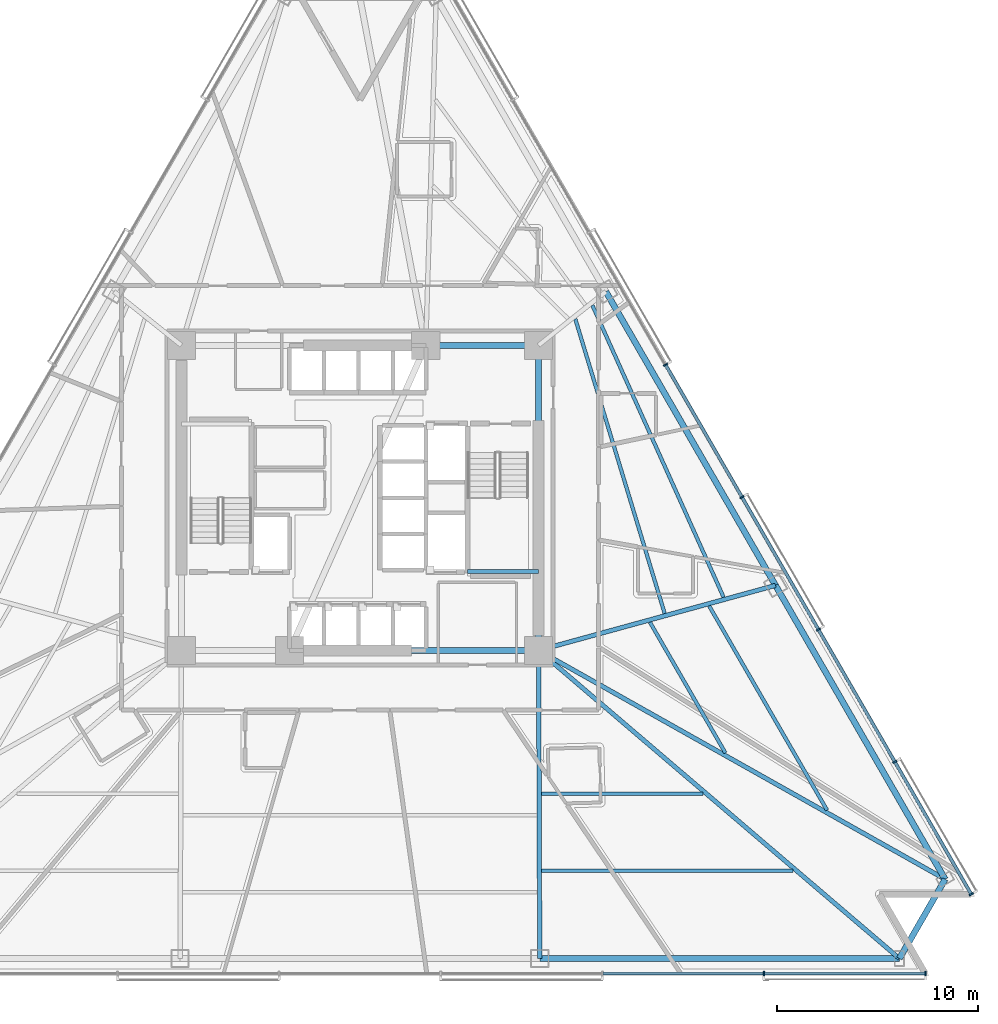
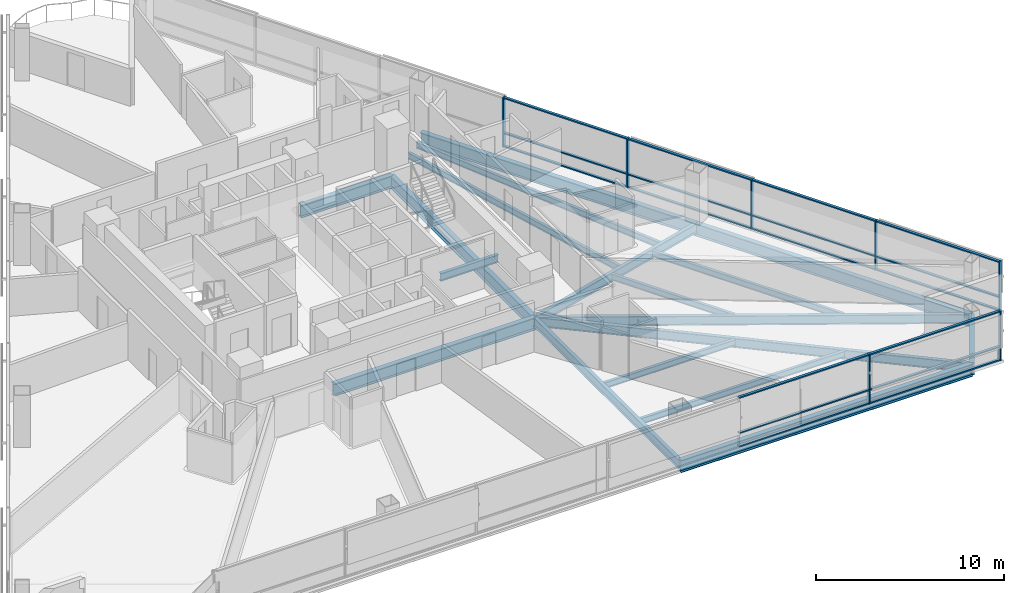
# One storey, part 4 of 17: 25 members, 18 beams, 2 elements without a shape of their own.
"""IFC4 building model written with IfcOpenShell, lengths in metres."""

from ifc_helpers import new_model, si_unit, direction, frame, origin, origin_2d, place, context, subcontext, project, spatial, rectangle, i_section, extrude, material, layer, layer_set, material_profile, profile_set, type_object, element, aggregate, save


model = new_model("IFC4")

# Units and contexts
model_context = context("Model", 3, precision=1e-05, world=origin(), true_north=direction((0.0, 1.0)))
body_context = subcontext(model_context, "Body", "Model", "MODEL_VIEW")
ifc_project = project(units=[si_unit("LENGTHUNIT", "METRE"), si_unit("AREAUNIT", "SQUARE_METRE"), si_unit("VOLUMEUNIT", "CUBIC_METRE"), si_unit("PLANEANGLEUNIT", "RADIAN"), si_unit("MASSUNIT", "GRAM", prefix="KILO")], contexts=[model_context])

# Site, building, storey
site_placement = place(None, origin())
site = spatial("IfcSite", under=ifc_project, at=site_placement, CompositionType="ELEMENT")
building_placement = place(site_placement, origin())
building = spatial("IfcBuilding", under=site, at=building_placement, Name="Tharavind Bronze Gate", CompositionType="ELEMENT")
storey_placement = place(building_placement, frame((0.0, 0.0, 35.25)))
storey = spatial("IfcBuildingStorey", under=building, at=storey_placement, Name="L07", CompositionType="ELEMENT", Elevation=35.25)

# Curtain wall, members
ifc_material_1 = material(Name="Anodised Bronze Aluminium", Category="aluminium")
ifc_layer = layer(ifc_material_1, 0.219970703125)
ifc_layer_set = layer_set([ifc_layer], Name="Anodised Bronze Aluminium")
curtain_wall_type = type_object("IfcCurtainWallType", Name="UNITISED CURTAIN WALL HOTEL", PredefinedType="USERDEFINED", material=ifc_layer_set)
curtain_wall_1_placement = place(storey_placement, origin())
curtain_wall_1 = element("IfcCurtainWall", 1, at=curtain_wall_1_placement, inside=storey, type_object=curtain_wall_type, Name="L07 unitised curtain wall hotel CW-L07-S2", ObjectType="UNITISED CURTAIN WALL", PredefinedType="USERDEFINED")
member_type_1 = type_object("IfcMemberType", Name="CURTAIN WALL MULLION 80X220", PredefinedType="MULLION", material=ifc_material_1)
member_1_placement = place(storey_placement, frame((20.12548828125, -23.699951171875, 0.0), z_axis=(0.0, 0.0, 1.0), x_axis=(1.0, 0.0, 0.0)))
member_1 = element("IfcMember", 2, at=member_1_placement, type_object=member_type_1, Name="CW-L07-S2 mullion 7", PredefinedType="MULLION", context=body_context, shape_type="SweptSolid", body=[
    extrude(rectangle(XDim=0.080078125, YDim=0.219970703125, at=origin_2d()), origin(), (0.0, 0.0, 1.0), 3.22509765625),
])
member_2_placement = place(storey_placement, frame((28.17578125, -23.699951171875, 0.0), z_axis=(0.0, 0.0, 1.0), x_axis=(1.0, 0.0, 0.0)))
member_2 = element("IfcMember", 3, at=member_2_placement, type_object=member_type_1, Name="CW-L07-S2 mullion 8", PredefinedType="MULLION", context=body_context, shape_type="SweptSolid", body=[
    extrude(rectangle(XDim=0.080078125, YDim=0.219970703125, at=origin_2d()), origin(), (0.0, 0.0, 1.0), 3.22509765625),
])

curtain_wall_2_placement = place(storey_placement, origin())
curtain_wall_2 = element("IfcCurtainWall", 4, at=curtain_wall_2_placement, inside=storey, type_object=curtain_wall_type, Name="L07 unitised curtain wall hotel CW-L07-S3", ObjectType="UNITISED CURTAIN WALL", PredefinedType="USERDEFINED")
member_3_placement = place(storey_placement, frame((30.455810546875, -19.7509765625, 0.0), z_axis=(0.0, 0.0, 1.0), x_axis=(-0.500001511499, 0.866024531118, 0.0)))
member_3 = element("IfcMember", 5, at=member_3_placement, type_object=member_type_1, Name="CW-L07-S3 mullion 1", PredefinedType="MULLION", context=body_context, shape_type="SweptSolid", body=[
    extrude(rectangle(XDim=0.080078125, YDim=0.219970703125, at=origin_2d()), origin(), (0.0, 0.0, 1.0), 3.22509765625),
])
member_4_placement = place(storey_placement, frame((26.647705078125, -13.1552734375, 0.0), z_axis=(0.0, 0.0, 1.0), x_axis=(-0.500001511499, 0.866024531118, 0.0)))
member_4 = element("IfcMember", 6, at=member_4_placement, type_object=member_type_1, Name="CW-L07-S3 mullion 2", PredefinedType="MULLION", context=body_context, shape_type="SweptSolid", body=[
    extrude(rectangle(XDim=0.080078125, YDim=0.219970703125, at=origin_2d()), origin(), (0.0, 0.0, 1.0), 3.22509765625),
])
member_5_placement = place(storey_placement, frame((22.83984375, -6.559814453125, 0.0), z_axis=(0.0, 0.0, 1.0), x_axis=(-0.500001511499, 0.866024531118, 0.0)))
member_5 = element("IfcMember", 7, at=member_5_placement, type_object=member_type_1, Name="CW-L07-S3 mullion 3", PredefinedType="MULLION", context=body_context, shape_type="SweptSolid", body=[
    extrude(rectangle(XDim=0.080078125, YDim=0.219970703125, at=origin_2d()), origin(), (0.0, 0.0, 1.0), 3.22509765625),
])
member_6_placement = place(storey_placement, frame((19.031982421875, 0.035888671875, 0.0), z_axis=(0.0, 0.0, 1.0), x_axis=(-0.500001511499, 0.866024531118, 0.0)))
member_6 = element("IfcMember", 8, at=member_6_placement, type_object=member_type_1, Name="CW-L07-S3 mullion 4", PredefinedType="MULLION", context=body_context, shape_type="SweptSolid", body=[
    extrude(rectangle(XDim=0.080078125, YDim=0.219970703125, at=origin_2d()), origin(), (0.0, 0.0, 1.0), 3.22509765625),
])
member_7_placement = place(storey_placement, frame((15.223876953125, 6.63134765625, 0.0), z_axis=(0.0, 0.0, 1.0), x_axis=(-0.500001511499, 0.866024531118, 0.0)))
member_7 = element("IfcMember", 9, at=member_7_placement, type_object=member_type_1, Name="CW-L07-S3 mullion 5", PredefinedType="MULLION", context=body_context, shape_type="SweptSolid", body=[
    extrude(rectangle(XDim=0.080078125, YDim=0.219970703125, at=origin_2d()), origin(), (0.0, 0.0, 1.0), 3.22509765625),
])

# Member
member_type_2 = type_object("IfcMemberType", Name="CURTAIN WALL TRANSOM 80X160", PredefinedType="USERDEFINED", material=ifc_material_1)
member_8_placement = place(storey_placement, frame((16.1005859375, -23.699951171875, 0.0), z_axis=(0.0, 0.0, 1.0), x_axis=(1.0, 0.0, 0.0)))
member_8 = element("IfcMember", 10, at=member_8_placement, type_object=member_type_2, Name="CW-L07-S2 transom TB6", ObjectType="TRANSOM", PredefinedType="USERDEFINED", context=body_context, shape_type="SweptSolid", body=[
    extrude(rectangle(XDim=7.982177734375, YDim=0.159912109375, at=origin_2d()), origin(), (0.0, 0.0, 1.0), 0.080078125),
])

member_9_placement = place(storey_placement, frame((16.1005859375, -23.699951171875, 0.85986328125), z_axis=(0.0, 0.0, 1.0), x_axis=(1.0, 0.0, 0.0)))
member_9 = element("IfcMember", 11, at=member_9_placement, type_object=member_type_2, Name="CW-L07-S2 transom TS6", ObjectType="TRANSOM", PredefinedType="USERDEFINED", context=body_context, shape_type="SweptSolid", body=[
    extrude(rectangle(XDim=7.982177734375, YDim=0.159912109375, at=origin_2d()), origin(), (0.0, 0.0, 1.0), 0.080078125),
])

member_10_placement = place(storey_placement, frame((16.1005859375, -23.699951171875, 3.14501953125), z_axis=(0.0, 0.0, 1.0), x_axis=(1.0, 0.0, 0.0)))
member_10 = element("IfcMember", 12, at=member_10_placement, type_object=member_type_2, Name="CW-L07-S2 transom TT6", ObjectType="TRANSOM", PredefinedType="USERDEFINED", context=body_context, shape_type="SweptSolid", body=[
    extrude(rectangle(XDim=7.982177734375, YDim=0.159912109375, at=origin_2d()), origin(), (0.0, 0.0, 1.0), 0.080078125),
])

member_11_placement = place(storey_placement, frame((24.150634765625, -23.699951171875, 0.0), z_axis=(0.0, 0.0, 1.0), x_axis=(1.0, 0.0, 0.0)))
member_11 = element("IfcMember", 13, at=member_11_placement, type_object=member_type_2, Name="CW-L07-S2 transom TB7", ObjectType="TRANSOM", PredefinedType="USERDEFINED", context=body_context, shape_type="SweptSolid", body=[
    extrude(rectangle(XDim=7.982177734375, YDim=0.159912109375, at=origin_2d()), origin(), (0.0, 0.0, 1.0), 0.080078125),
])

member_12_placement = place(storey_placement, frame((24.150634765625, -23.699951171875, 0.85986328125), z_axis=(0.0, 0.0, 1.0), x_axis=(1.0, 0.0, 0.0)))
member_12 = element("IfcMember", 14, at=member_12_placement, type_object=member_type_2, Name="CW-L07-S2 transom TS7", ObjectType="TRANSOM", PredefinedType="USERDEFINED", context=body_context, shape_type="SweptSolid", body=[
    extrude(rectangle(XDim=7.982177734375, YDim=0.159912109375, at=origin_2d()), origin(), (0.0, 0.0, 1.0), 0.080078125),
])

member_13_placement = place(storey_placement, frame((24.150634765625, -23.699951171875, 3.14501953125), z_axis=(0.0, 0.0, 1.0), x_axis=(1.0, 0.0, 0.0)))
member_13 = element("IfcMember", 15, at=member_13_placement, type_object=member_type_2, Name="CW-L07-S2 transom TT7", ObjectType="TRANSOM", PredefinedType="USERDEFINED", context=body_context, shape_type="SweptSolid", body=[
    extrude(rectangle(XDim=7.982177734375, YDim=0.159912109375, at=origin_2d()), origin(), (0.0, 0.0, 1.0), 0.080078125),
])

aggregate(curtain_wall_1, [member_1, member_2, member_8, member_9, member_10, member_11, member_12, member_13])

member_14_placement = place(storey_placement, frame((28.5517578125, -16.453125, 0.0), z_axis=(0.0, 0.0, 1.0), x_axis=(-0.500001511499, 0.866024531118, 0.0)))
member_14 = element("IfcMember", 16, at=member_14_placement, type_object=member_type_2, Name="CW-L07-S3 transom TB1", ObjectType="TRANSOM", PredefinedType="USERDEFINED", context=body_context, shape_type="SweptSolid", body=[
    extrude(rectangle(XDim=7.5478515625, YDim=0.159912109375, at=origin_2d()), origin(), (0.0, 0.0, 1.0), 0.080078125),
])

member_15_placement = place(storey_placement, frame((28.5517578125, -16.453125, 0.85986328125), z_axis=(0.0, 0.0, 1.0), x_axis=(-0.500001511499, 0.866024531118, 0.0)))
member_15 = element("IfcMember", 17, at=member_15_placement, type_object=member_type_2, Name="CW-L07-S3 transom TS1", ObjectType="TRANSOM", PredefinedType="USERDEFINED", context=body_context, shape_type="SweptSolid", body=[
    extrude(rectangle(XDim=7.5478515625, YDim=0.159912109375, at=origin_2d()), origin(), (0.0, 0.0, 1.0), 0.080078125),
])

member_16_placement = place(storey_placement, frame((28.5517578125, -16.453125, 3.14501953125), z_axis=(0.0, 0.0, 1.0), x_axis=(-0.500001511499, 0.866024531118, 0.0)))
member_16 = element("IfcMember", 18, at=member_16_placement, type_object=member_type_2, Name="CW-L07-S3 transom TT1", ObjectType="TRANSOM", PredefinedType="USERDEFINED", context=body_context, shape_type="SweptSolid", body=[
    extrude(rectangle(XDim=7.5478515625, YDim=0.159912109375, at=origin_2d()), origin(), (0.0, 0.0, 1.0), 0.080078125),
])

member_17_placement = place(storey_placement, frame((24.743896484375, -9.857421875, 0.0), z_axis=(0.0, 0.0, 1.0), x_axis=(-0.500001511499, 0.866024531118, 0.0)))
member_17 = element("IfcMember", 19, at=member_17_placement, type_object=member_type_2, Name="CW-L07-S3 transom TB2", ObjectType="TRANSOM", PredefinedType="USERDEFINED", context=body_context, shape_type="SweptSolid", body=[
    extrude(rectangle(XDim=7.5478515625, YDim=0.159912109375, at=origin_2d()), origin(), (0.0, 0.0, 1.0), 0.080078125),
])

member_18_placement = place(storey_placement, frame((24.743896484375, -9.857421875, 0.85986328125), z_axis=(0.0, 0.0, 1.0), x_axis=(-0.500001511499, 0.866024531118, 0.0)))
member_18 = element("IfcMember", 20, at=member_18_placement, type_object=member_type_2, Name="CW-L07-S3 transom TS2", ObjectType="TRANSOM", PredefinedType="USERDEFINED", context=body_context, shape_type="SweptSolid", body=[
    extrude(rectangle(XDim=7.5478515625, YDim=0.159912109375, at=origin_2d()), origin(), (0.0, 0.0, 1.0), 0.080078125),
])

member_19_placement = place(storey_placement, frame((24.743896484375, -9.857421875, 3.14501953125), z_axis=(0.0, 0.0, 1.0), x_axis=(-0.500001511499, 0.866024531118, 0.0)))
member_19 = element("IfcMember", 21, at=member_19_placement, type_object=member_type_2, Name="CW-L07-S3 transom TT2", ObjectType="TRANSOM", PredefinedType="USERDEFINED", context=body_context, shape_type="SweptSolid", body=[
    extrude(rectangle(XDim=7.5478515625, YDim=0.159912109375, at=origin_2d()), origin(), (0.0, 0.0, 1.0), 0.080078125),
])

member_20_placement = place(storey_placement, frame((20.935791015625, -3.261962890625, 0.0), z_axis=(0.0, 0.0, 1.0), x_axis=(-0.500001511499, 0.866024531118, 0.0)))
member_20 = element("IfcMember", 22, at=member_20_placement, type_object=member_type_2, Name="CW-L07-S3 transom TB3", ObjectType="TRANSOM", PredefinedType="USERDEFINED", context=body_context, shape_type="SweptSolid", body=[
    extrude(rectangle(XDim=7.5478515625, YDim=0.159912109375, at=origin_2d()), origin(), (0.0, 0.0, 1.0), 0.080078125),
])

member_21_placement = place(storey_placement, frame((20.935791015625, -3.261962890625, 0.85986328125), z_axis=(0.0, 0.0, 1.0), x_axis=(-0.500001511499, 0.866024531118, 0.0)))
member_21 = element("IfcMember", 23, at=member_21_placement, type_object=member_type_2, Name="CW-L07-S3 transom TS3", ObjectType="TRANSOM", PredefinedType="USERDEFINED", context=body_context, shape_type="SweptSolid", body=[
    extrude(rectangle(XDim=7.5478515625, YDim=0.159912109375, at=origin_2d()), origin(), (0.0, 0.0, 1.0), 0.080078125),
])

member_22_placement = place(storey_placement, frame((20.935791015625, -3.261962890625, 3.14501953125), z_axis=(0.0, 0.0, 1.0), x_axis=(-0.500001511499, 0.866024531118, 0.0)))
member_22 = element("IfcMember", 24, at=member_22_placement, type_object=member_type_2, Name="CW-L07-S3 transom TT3", ObjectType="TRANSOM", PredefinedType="USERDEFINED", context=body_context, shape_type="SweptSolid", body=[
    extrude(rectangle(XDim=7.5478515625, YDim=0.159912109375, at=origin_2d()), origin(), (0.0, 0.0, 1.0), 0.080078125),
])

member_23_placement = place(storey_placement, frame((17.1279296875, 3.33349609375, 0.0), z_axis=(0.0, 0.0, 1.0), x_axis=(-0.500001511499, 0.866024531118, 0.0)))
member_23 = element("IfcMember", 25, at=member_23_placement, type_object=member_type_2, Name="CW-L07-S3 transom TB4", ObjectType="TRANSOM", PredefinedType="USERDEFINED", context=body_context, shape_type="SweptSolid", body=[
    extrude(rectangle(XDim=7.5478515625, YDim=0.159912109375, at=origin_2d()), origin(), (0.0, 0.0, 1.0), 0.080078125),
])

member_24_placement = place(storey_placement, frame((17.1279296875, 3.33349609375, 0.85986328125), z_axis=(0.0, 0.0, 1.0), x_axis=(-0.500001511499, 0.866024531118, 0.0)))
member_24 = element("IfcMember", 26, at=member_24_placement, type_object=member_type_2, Name="CW-L07-S3 transom TS4", ObjectType="TRANSOM", PredefinedType="USERDEFINED", context=body_context, shape_type="SweptSolid", body=[
    extrude(rectangle(XDim=7.5478515625, YDim=0.159912109375, at=origin_2d()), origin(), (0.0, 0.0, 1.0), 0.080078125),
])

member_25_placement = place(storey_placement, frame((17.1279296875, 3.33349609375, 3.14501953125), z_axis=(0.0, 0.0, 1.0), x_axis=(-0.500001511499, 0.866024531118, 0.0)))
member_25 = element("IfcMember", 27, at=member_25_placement, type_object=member_type_2, Name="CW-L07-S3 transom TT4", ObjectType="TRANSOM", PredefinedType="USERDEFINED", context=body_context, shape_type="SweptSolid", body=[
    extrude(rectangle(XDim=7.5478515625, YDim=0.159912109375, at=origin_2d()), origin(), (0.0, 0.0, 1.0), 0.080078125),
])

aggregate(curtain_wall_2, [member_3, member_4, member_5, member_6, member_7, member_14, member_15, member_16, member_17, member_18, member_19, member_20, member_21, member_22, member_23, member_24, member_25])

# Beams
ifc_material_2 = material(Name="Steel S355", Category="steel")
ifc_material_profile_1 = material_profile(ifc_material_2, i_section(OverallWidth=0.199951171875, OverallDepth=0.5, WebThickness=0.01025390625, FlangeThickness=0.01611328125, at=origin_2d()), Name="IPE500")
ifc_profile_set_1 = profile_set([ifc_material_profile_1], Name="Steel S355")
beam_type_1 = type_object("IfcBeamType", Name="PRIMARY GIRDER IPE500", PredefinedType="USERDEFINED", material=ifc_profile_set_1)
beam_1_placement = place(storey_placement, frame((5.35009765625, -3.679931640625, 1.25), z_axis=(1.0, 0.0, 0.0), x_axis=(0.0, 1.0, 0.0)))
element("IfcBeam", 28, at=beam_1_placement, inside=storey, type_object=beam_type_1, Name="L07 primary girder ipe500 BM-LD-ST2-L07-1", ObjectType="GIRDER", PredefinedType="USERDEFINED", context=body_context, shape_type="SweptSolid", body=[
    extrude(i_section(OverallWidth=0.199951171875, OverallDepth=0.5, WebThickness=0.01025390625, FlangeThickness=0.01611328125, at=origin_2d()), origin(), (0.0, 0.0, 1.0), 3.5498046875),
])
ifc_material_profile_2 = material_profile(ifc_material_2, i_section(OverallWidth=0.219970703125, OverallDepth=0.60009765625, WebThickness=0.011962890625, FlangeThickness=0.01904296875, at=origin_2d()), Name="IPE600")
ifc_profile_set_2 = profile_set([ifc_material_profile_2], Name="Steel S355")
beam_type_2 = type_object("IfcBeamType", Name="PRIMARY GIRDER IPE600", PredefinedType="USERDEFINED", material=ifc_profile_set_2)
beam_2_placement = place(storey_placement, frame((8.958984375, -22.949951171875, -0.47509765625), z_axis=(-0.003849000484, 0.99999259257, 0.0), x_axis=(-0.99999259257, -0.003849000484, 0.0)))
element("IfcBeam", 29, at=beam_2_placement, inside=storey, type_object=beam_type_2, Name="L07 primary girder ipe600 BM-L07-RAD07", ObjectType="GIRDER", PredefinedType="USERDEFINED", context=body_context, shape_type="SweptSolid", body=[
    extrude(i_section(OverallWidth=0.219970703125, OverallDepth=0.60009765625, WebThickness=0.011962890625, FlangeThickness=0.01904296875, at=origin_2d()), origin(), (0.0, 0.0, 1.0), 15.349853515625),
])
beam_3_placement = place(storey_placement, frame((26.876708984375, -22.949951171875, -0.47509765625), z_axis=(-0.76048513475, 0.649355341723, 0.0), x_axis=(-0.649355341723, -0.76048513475, 0.0)))
element("IfcBeam", 30, at=beam_3_placement, inside=storey, type_object=beam_type_2, Name="L07 primary girder ipe600 BM-L07-RAD08", ObjectType="GIRDER", PredefinedType="USERDEFINED", context=body_context, shape_type="SweptSolid", body=[
    extrude(i_section(OverallWidth=0.219970703125, OverallDepth=0.60009765625, WebThickness=0.011962890625, FlangeThickness=0.01904296875, at=origin_2d()), origin(), (0.0, 0.0, 1.0), 23.638671875),
])
beam_4_placement = place(storey_placement, frame((29.15673828125, -19.0009765625, -0.47509765625), z_axis=(-0.871457703454, 0.490470662824, 0.0), x_axis=(-0.490470662824, -0.871457703454, 0.0)))
element("IfcBeam", 31, at=beam_4_placement, inside=storey, type_object=beam_type_2, Name="L07 primary girder ipe600 BM-L07-RAD09", ObjectType="GIRDER", PredefinedType="USERDEFINED", context=body_context, shape_type="SweptSolid", body=[
    extrude(i_section(OverallWidth=0.219970703125, OverallDepth=0.60009765625, WebThickness=0.011962890625, FlangeThickness=0.01904296875, at=origin_2d()), origin(), (0.0, 0.0, 1.0), 23.244873046875),
])
beam_5_placement = place(storey_placement, frame((20.70458984375, -4.361083984375, -0.47509765625), z_axis=(-0.96435718827, -0.264603880228, 0.0), x_axis=(0.264603880228, -0.96435718827, 0.0)))
element("IfcBeam", 32, at=beam_5_placement, inside=storey, type_object=beam_type_2, Name="L07 primary girder ipe600 BM-L07-RAD10", ObjectType="GIRDER", PredefinedType="USERDEFINED", context=body_context, shape_type="SweptSolid", body=[
    extrude(i_section(OverallWidth=0.219970703125, OverallDepth=0.60009765625, WebThickness=0.011962890625, FlangeThickness=0.01904296875, at=origin_2d()), origin(), (0.0, 0.0, 1.0), 12.240966796875),
])
ifc_material_profile_3 = material_profile(ifc_material_2, i_section(OverallWidth=0.300048828125, OverallDepth=0.800048828125, WebThickness=0.017578125, FlangeThickness=0.032958984375, at=origin_2d()), Name="HE800B")
ifc_profile_set_3 = profile_set([ifc_material_profile_3], Name="Steel S355")
beam_type_3 = type_object("IfcBeamType", Name="RING GIRDER HE800B", PredefinedType="USERDEFINED", material=ifc_profile_set_3)
beam_6_placement = place(storey_placement, frame((-3.5, -7.60009765625, -0.574951171875), z_axis=(1.0, 0.0, 0.0), x_axis=(0.0, 1.0, 0.0)))
element("IfcBeam", 33, at=beam_6_placement, inside=storey, type_object=beam_type_3, Name="L07 ring girder he800b BM-L07-CR2", ObjectType="GIRDER", PredefinedType="USERDEFINED", context=body_context, shape_type="SweptSolid", body=[
    extrude(i_section(OverallWidth=0.300048828125, OverallDepth=0.800048828125, WebThickness=0.017578125, FlangeThickness=0.032958984375, at=origin_2d()), origin(), (0.0, 0.0, 1.0), 12.39990234375),
])
beam_7_placement = place(storey_placement, frame((8.89990234375, -7.60009765625, -0.574951171875), z_axis=(0.0, 1.0, 0.0), x_axis=(-1.0, 0.0, 0.0)))
element("IfcBeam", 34, at=beam_7_placement, inside=storey, type_object=beam_type_3, Name="L07 ring girder he800b BM-L07-CR3", ObjectType="GIRDER", PredefinedType="USERDEFINED", context=body_context, shape_type="SweptSolid", body=[
    extrude(i_section(OverallWidth=0.300048828125, OverallDepth=0.800048828125, WebThickness=0.017578125, FlangeThickness=0.032958984375, at=origin_2d()), origin(), (0.0, 0.0, 1.0), 15.2001953125),
])
beam_8_placement = place(storey_placement, frame((8.89990234375, 7.60009765625, -0.574951171875), z_axis=(-1.0, 0.0, 0.0), x_axis=(0.0, -1.0, 0.0)))
element("IfcBeam", 35, at=beam_8_placement, inside=storey, type_object=beam_type_3, Name="L07 ring girder he800b BM-L07-CR4", ObjectType="GIRDER", PredefinedType="USERDEFINED", context=body_context, shape_type="SweptSolid", body=[
    extrude(i_section(OverallWidth=0.300048828125, OverallDepth=0.800048828125, WebThickness=0.017578125, FlangeThickness=0.032958984375, at=origin_2d()), origin(), (0.0, 0.0, 1.0), 5.619873046875),
])
beam_9_placement = place(storey_placement, frame((8.958984375, -22.949951171875, -0.574951171875), z_axis=(1.0, 0.0, 0.0), x_axis=(0.0, 1.0, 0.0)))
element("IfcBeam", 36, at=beam_9_placement, inside=storey, type_object=beam_type_3, Name="L07 ring girder he800b BM-L07-PRG07", ObjectType="GIRDER", PredefinedType="USERDEFINED", context=body_context, shape_type="SweptSolid", body=[
    extrude(i_section(OverallWidth=0.300048828125, OverallDepth=0.800048828125, WebThickness=0.017578125, FlangeThickness=0.032958984375, at=origin_2d()), origin(), (0.0, 0.0, 1.0), 17.917724609375),
])
beam_10_placement = place(storey_placement, frame((26.876708984375, -22.949951171875, -0.574951171875), z_axis=(0.500014431597, 0.866017071537, 0.0), x_axis=(-0.866017071537, 0.500014431597, 0.0)))
element("IfcBeam", 37, at=beam_10_placement, inside=storey, type_object=beam_type_3, Name="L07 ring girder he800b BM-L07-PRG08", ObjectType="GIRDER", PredefinedType="USERDEFINED", context=body_context, shape_type="SweptSolid", body=[
    extrude(i_section(OverallWidth=0.300048828125, OverallDepth=0.800048828125, WebThickness=0.017578125, FlangeThickness=0.032958984375, at=origin_2d()), origin(), (0.0, 0.0, 1.0), 4.559814453125),
])
for number, where, z_axis, x_axis, name in (
    (38, (29.15673828125, -19.0009765625, -0.574951171875), (-0.4999912383, 0.866030462295, 0.0), (-0.866030462295, -0.4999912383, 0.0), "L07 ring girder he800b BM-L07-PRG09"),
    (39, (20.70458984375, -4.361083984375, -0.574951171875), (-0.50000832373, 0.866020598023, 0.0), (-0.866020598023, -0.50000832373, 0.0), "L07 ring girder he800b BM-L07-PRG10"),
):
    element("IfcBeam", number, at=place(storey_placement, frame(where, z_axis=z_axis, x_axis=x_axis)), inside=storey, type_object=beam_type_3, Name=name, ObjectType="GIRDER", PredefinedType="USERDEFINED", context=body_context, shape_type="SweptSolid", body=[
        extrude(i_section(OverallWidth=0.300048828125, OverallDepth=0.800048828125, WebThickness=0.017578125, FlangeThickness=0.032958984375, at=origin_2d()), origin(), (0.0, 0.0, 1.0), 16.904541015625),
    ])
ifc_material_profile_4 = material_profile(ifc_material_2, i_section(OverallWidth=0.179931640625, OverallDepth=0.39990234375, WebThickness=0.008544921875, FlangeThickness=0.013427734375, at=origin_2d()), Name="IPE400")
ifc_profile_set_4 = profile_set([ifc_material_profile_4], Name="Steel S355")
beam_type_4 = type_object("IfcBeamType", Name="SECONDARY FLOOR JOIST IPE400", PredefinedType="JOIST", material=ifc_profile_set_4)
beam_11_placement = place(storey_placement, frame((9.04150390625, -14.73779296875, -0.375), z_axis=(1.0, 0.0, 0.0), x_axis=(0.0, 1.0, 0.0)))
element("IfcBeam", 40, at=beam_11_placement, inside=storey, type_object=beam_type_4, Name="L07 secondary floor joist ipe400 BM-L07-JSTA07", PredefinedType="JOIST", context=body_context, shape_type="SweptSolid", body=[
    extrude(i_section(OverallWidth=0.179931640625, OverallDepth=0.39990234375, WebThickness=0.008544921875, FlangeThickness=0.013427734375, at=origin_2d()), origin(), (0.0, 0.0, 1.0), 8.044189453125),
])
beam_12_placement = place(storey_placement, frame((9.05615234375, -18.5751953125, -0.375), z_axis=(1.0, 0.0, 0.0), x_axis=(0.0, 1.0, 0.0)))
element("IfcBeam", 41, at=beam_12_placement, inside=storey, type_object=beam_type_4, Name="L07 secondary floor joist ipe400 BM-L07-JSTB07", PredefinedType="JOIST", context=body_context, shape_type="SweptSolid", body=[
    extrude(i_section(OverallWidth=0.179931640625, OverallDepth=0.39990234375, WebThickness=0.008544921875, FlangeThickness=0.013427734375, at=origin_2d()), origin(), (0.0, 0.0, 1.0), 12.52392578125),
])
beam_13_placement = place(storey_placement, frame((18.20947265625, -12.7109375, -0.375), z_axis=(-0.499995879736, 0.866027782607, 0.0), x_axis=(-0.866027782607, -0.499995879736, 0.0)))
element("IfcBeam", 42, at=beam_13_placement, inside=storey, type_object=beam_type_4, Name="L07 secondary floor joist ipe400 BM-L07-JSTA09", PredefinedType="JOIST", context=body_context, shape_type="SweptSolid", body=[
    extrude(i_section(OverallWidth=0.179931640625, OverallDepth=0.39990234375, WebThickness=0.008544921875, FlangeThickness=0.013427734375, at=origin_2d()), origin(), (0.0, 0.0, 1.0), 7.52294921875),
])
beam_14_placement = place(storey_placement, frame((23.273681640625, -15.561279296875, -0.375), z_axis=(-0.499996459651, 0.866027447796, 0.0), x_axis=(-0.866027447796, -0.499996459651, 0.0)))
element("IfcBeam", 43, at=beam_14_placement, inside=storey, type_object=beam_type_4, Name="L07 secondary floor joist ipe400 BM-L07-JSTB09", PredefinedType="JOIST", context=body_context, shape_type="SweptSolid", body=[
    extrude(i_section(OverallWidth=0.179931640625, OverallDepth=0.39990234375, WebThickness=0.008544921875, FlangeThickness=0.013427734375, at=origin_2d()), origin(), (0.0, 0.0, 1.0), 11.7490234375),
])
beam_15_placement = place(storey_placement, frame((15.182373046875, -5.758056640625, -0.375), z_axis=(-0.290410798392, 0.956902068227, 0.0), x_axis=(-0.956902068227, -0.290410798392, 0.0)))
element("IfcBeam", 44, at=beam_15_placement, inside=storey, type_object=beam_type_4, Name="L07 secondary floor joist ipe400 BM-L07-JSTA10", PredefinedType="JOIST", context=body_context, shape_type="SweptSolid", body=[
    extrude(i_section(OverallWidth=0.179931640625, OverallDepth=0.39990234375, WebThickness=0.008544921875, FlangeThickness=0.013427734375, at=origin_2d()), origin(), (0.0, 0.0, 1.0), 15.334716796875),
])
beam_16_placement = place(storey_placement, frame((18.119140625, -4.952392578125, -0.375), z_axis=(-0.40998786392, 0.91209097761, 0.0), x_axis=(-0.91209097761, -0.40998786392, 0.0)))
element("IfcBeam", 45, at=beam_16_placement, inside=storey, type_object=beam_type_4, Name="L07 secondary floor joist ipe400 BM-L07-JSTB10", PredefinedType="JOIST", context=body_context, shape_type="SweptSolid", body=[
    extrude(i_section(OverallWidth=0.179931640625, OverallDepth=0.39990234375, WebThickness=0.008544921875, FlangeThickness=0.013427734375, at=origin_2d()), origin(), (0.0, 0.0, 1.0), 15.949951171875),
])

save(model, "model.ifc")
